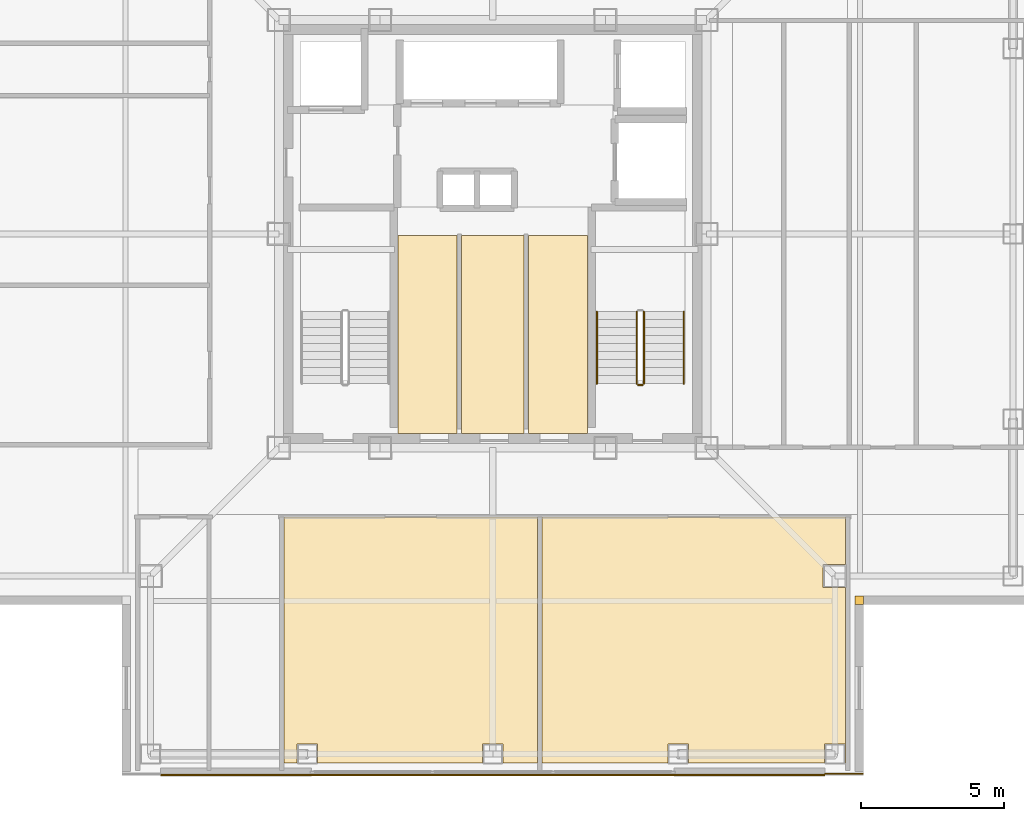
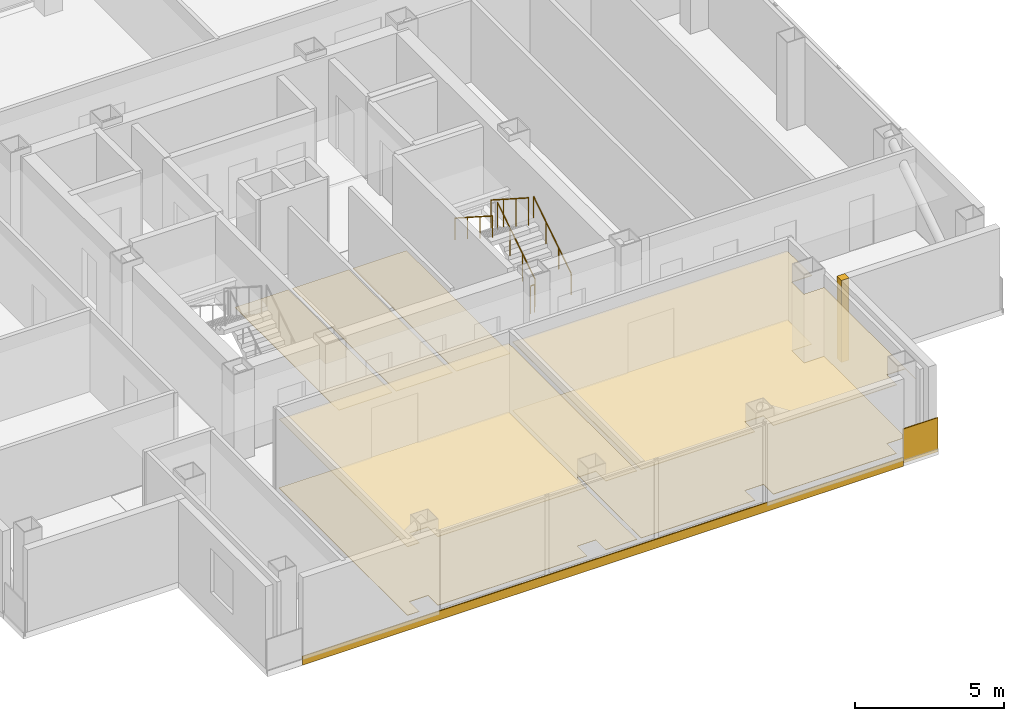
# One storey, part 12 of 16: 10 coverings, 5 railings.
"""IFC4 building model written with IfcOpenShell, lengths in metres."""

from ifc_helpers import new_model, si_unit, direction, frame, frame_2d, origin, origin_2d, place, context, subcontext, project, spatial, polyline, rectangle, circle, outline, extrude, material, layer, layer_set, type_object, element, save


model = new_model("IFC4")

# Units and contexts
model_context = context("Model", 3, precision=1e-05, world=origin(), true_north=direction((0.0, 1.0)))
body_context = subcontext(model_context, "Body", "Model", "MODEL_VIEW")
ifc_project = project(units=[si_unit("LENGTHUNIT", "METRE"), si_unit("AREAUNIT", "SQUARE_METRE"), si_unit("VOLUMEUNIT", "CUBIC_METRE"), si_unit("PLANEANGLEUNIT", "RADIAN"), si_unit("MASSUNIT", "GRAM", prefix="KILO")], contexts=[model_context])

# Site, building, storey
site_placement = place(None, origin())
site = spatial("IfcSite", under=ifc_project, at=site_placement, CompositionType="ELEMENT")
building_placement = place(site_placement, origin())
building = spatial("IfcBuilding", under=site, at=building_placement, Name="Trevonay Congress Spire", CompositionType="ELEMENT")
storey_placement = place(building_placement, frame((0.0, 0.0, 279.199951171875)))
storey = spatial("IfcBuildingStorey", under=building, at=storey_placement, Name="L73", CompositionType="ELEMENT", Elevation=279.199951171875)

# Coverings
ifc_material_1 = material(Name="Acoustic Mineral Fibre Board", Category="gypsum")
ifc_layer_1 = layer(ifc_material_1, 0.02490234375, Name="Acoustic Mineral Fibre Board")
ifc_layer_set_1 = layer_set([ifc_layer_1], Name="Acoustic Mineral Fibre Board")
covering_type_1 = type_object("IfcCoveringType", Name="COV-CEIL-ACOUSTIC", PredefinedType="CEILING", material=ifc_layer_set_1)
covering_1_placement = place(storey_placement, frame((0.0, 0.0, 2.81005859375)))
element("IfcCovering", 1, at=covering_1_placement, inside=storey, type_object=covering_type_1, Name="L73 Investment Committee Boardroom acoustic suspended ceiling", PredefinedType="CEILING", context=body_context, shape_type="SweptSolid", body=[
    extrude(outline(polyline([(-7.320068359375, -18.550048828125), (-7.320068359375, -9.929931640625), (1.570068359375, -9.929931640625), (1.570068359375, -18.550048828125), (0.360107421875, -18.550048828125), (0.360107421875, -17.889892578125), (-0.360107421875, -17.889892578125), (-0.360107421875, -18.550048828125), (-6.139892578125, -18.550048828125), (-6.139892578125, -17.889892578125), (-6.860107421875, -17.889892578125), (-6.860107421875, -18.550048828125), (-7.320068359375, -18.550048828125)])), origin(), (0.0, 0.0, 1.0), 0.02490234375),
])
covering_2_placement = place(storey_placement, frame((0.0, 0.0, 2.81005859375)))
element("IfcCovering", 2, at=covering_2_placement, inside=storey, type_object=covering_type_1, Name="L73 LP Advisory Boardroom acoustic suspended ceiling", PredefinedType="CEILING", context=body_context, shape_type="SweptSolid", body=[
    extrude(outline(polyline([(1.72998046875, -18.550048828125), (1.72998046875, -9.929931640625), (12.3701171875, -9.929931640625), (12.3701171875, -11.590087890625), (11.590087890625, -11.590087890625), (11.590087890625, -12.409912109375), (12.3701171875, -12.409912109375), (12.3701171875, -18.550048828125), (12.360107421875, -18.550048828125), (12.360107421875, -17.889892578125), (11.639892578125, -17.889892578125), (11.639892578125, -18.550048828125), (6.860107421875, -18.550048828125), (6.860107421875, -17.889892578125), (6.139892578125, -17.889892578125), (6.139892578125, -18.550048828125), (1.72998046875, -18.550048828125)])), origin(), (0.0, 0.0, 1.0), 0.02490234375),
])
ifc_material_2 = material(Name="Polished Granite Floor Tile", Category="masonry")
ifc_layer_2 = layer(ifc_material_2, 0.02001953125, Name="Polished Granite Floor Tile")
ifc_layer_set_2 = layer_set([ifc_layer_2], Name="Polished Granite Floor Tile")
covering_type_2 = type_object("IfcCoveringType", Name="COV-FLOOR-STONE", PredefinedType="FLOORING", material=ifc_layer_set_2)
covering_3_placement = place(storey_placement, origin())
element("IfcCovering", 3, at=covering_3_placement, inside=storey, type_object=covering_type_2, Name="L73 Core AHU Fan Plant Room floor finish", PredefinedType="FLOORING", context=body_context, shape_type="SweptSolid", body=[
    extrude(outline(polyline([(-3.320068359375, -7.0), (-1.25, -7.0), (-1.25, -0.050048828125), (-3.320068359375, -0.050048828125), (-3.320068359375, -7.0)])), origin(), (0.0, 0.0, 1.0), 0.02001953125),
])
covering_4_placement = place(storey_placement, origin())
element("IfcCovering", 4, at=covering_4_placement, inside=storey, type_object=covering_type_2, Name="L73 Core IT Comms Store floor finish", PredefinedType="FLOORING", context=body_context, shape_type="SweptSolid", body=[
    extrude(outline(polyline([(-1.090087890625, -7.0), (1.090087890625, -7.0), (1.090087890625, -0.050048828125), (-1.090087890625, -0.050048828125), (-1.090087890625, -7.0)])), origin(), (0.0, 0.0, 1.0), 0.02001953125),
])
covering_5_placement = place(storey_placement, origin())
element("IfcCovering", 5, at=covering_5_placement, inside=storey, type_object=covering_type_2, Name="L73 Housekeeping Linen Store floor finish", PredefinedType="FLOORING", context=body_context, shape_type="SweptSolid", body=[
    extrude(outline(polyline([(1.25, -7.0), (3.320068359375, -7.0), (3.320068359375, -0.050048828125), (1.25, -0.050048828125), (1.25, -7.0)])), origin(), (0.0, 0.0, 1.0), 0.02001953125),
])
ifc_material_3 = material(Name="Engineered Oak Flooring", Category="wood")
ifc_layer_3 = layer(ifc_material_3, 0.01806640625, Name="Engineered Oak Flooring")
ifc_layer_set_3 = layer_set([ifc_layer_3], Name="Engineered Oak Flooring")
covering_type_3 = type_object("IfcCoveringType", Name="COV-FLOOR-TIMBER", PredefinedType="FLOORING", material=ifc_layer_set_3)
covering_6_placement = place(storey_placement, origin())
element("IfcCovering", 6, at=covering_6_placement, inside=storey, type_object=covering_type_3, Name="L73 Investment Committee Boardroom floor finish", PredefinedType="FLOORING", context=body_context, shape_type="SweptSolid", body=[
    extrude(outline(polyline([(-7.320068359375, -18.550048828125), (-7.320068359375, -9.929931640625), (1.570068359375, -9.929931640625), (1.570068359375, -18.550048828125), (0.360107421875, -18.550048828125), (0.360107421875, -17.889892578125), (-0.360107421875, -17.889892578125), (-0.360107421875, -18.550048828125), (-6.139892578125, -18.550048828125), (-6.139892578125, -17.889892578125), (-6.860107421875, -17.889892578125), (-6.860107421875, -18.550048828125), (-7.320068359375, -18.550048828125)])), origin(), (0.0, 0.0, 1.0), 0.01806640625),
])
covering_7_placement = place(storey_placement, origin())
element("IfcCovering", 7, at=covering_7_placement, inside=storey, type_object=covering_type_3, Name="L73 LP Advisory Boardroom floor finish", PredefinedType="FLOORING", context=body_context, shape_type="SweptSolid", body=[
    extrude(outline(polyline([(1.72998046875, -18.550048828125), (1.72998046875, -9.929931640625), (12.3701171875, -9.929931640625), (12.3701171875, -11.590087890625), (11.590087890625, -11.590087890625), (11.590087890625, -12.409912109375), (12.3701171875, -12.409912109375), (12.3701171875, -18.550048828125), (12.360107421875, -18.550048828125), (12.360107421875, -17.889892578125), (11.639892578125, -17.889892578125), (11.639892578125, -18.550048828125), (6.860107421875, -18.550048828125), (6.860107421875, -17.889892578125), (6.139892578125, -17.889892578125), (6.139892578125, -18.550048828125), (1.72998046875, -18.550048828125)])), origin(), (0.0, 0.0, 1.0), 0.01806640625),
])
ifc_material_4 = material(Name="Pale Anodised Aluminium EN AW-6063-T6", Category="aluminium")
ifc_layer_4 = layer(ifc_material_4, 0.0400390625, Name="Pale Anodised Aluminium EN AW-6063-T6")
ifc_layer_set_4 = layer_set([ifc_layer_4], Name="Pale Anodised Aluminium EN AW-6063-T6")
covering_type_4 = type_object("IfcCoveringType", Name="COV-SPANDREL-PALE-METAL", PredefinedType="CLADDING", material=ifc_layer_set_4)
covering_8_placement = place(storey_placement, frame((-11.64990234375, -18.97998046875, -0.239990234375), z_axis=(0.0, 0.0, 1.0), x_axis=(1.0, 0.0, 0.0)))
element("IfcCovering", 8, at=covering_8_placement, inside=storey, type_object=covering_type_4, Name="L73 S pale-metal slab-edge spandrel cladding", PredefinedType="CLADDING", context=body_context, shape_type="SweptSolid", body=[
    extrude(rectangle(XDim=23.2998046875, YDim=0.0400390625, at=frame_2d((11.64990234375, 0.0))), origin(), (0.0, 0.0, 1.0), 0.360107421875),
])
covering_9_placement = place(storey_placement, origin())
element("IfcCovering", 9, at=covering_9_placement, inside=storey, type_object=covering_type_4, Name="L73 SE re-entrant notch corner closure trim", PredefinedType="CLADDING", context=body_context, shape_type="SweptSolid", body=[
    extrude(outline(polyline([(12.699951171875, -13.0), (13.0, -13.0), (13.0, -12.699951171875), (12.699951171875, -12.699951171875), (12.699951171875, -13.0)])), origin(), (0.0, 0.0, 1.0), 3.360107421875),
])
covering_10_placement = place(storey_placement, frame((11.64990234375, -18.93994140625, -0.14990234375), z_axis=(0.0, 0.0, 1.0), x_axis=(1.0, 0.0, 0.0)))
element("IfcCovering", 10, at=covering_10_placement, inside=storey, type_object=covering_type_4, Name="L73 SE corner pier spandrel cladding 2", PredefinedType="CLADDING", context=body_context, shape_type="SweptSolid", body=[
    extrude(rectangle(XDim=1.35009765625, YDim=0.0400390625, at=frame_2d((0.675048828125, 0.0))), origin(), (0.0, 0.0, 1.0), 1.39990234375),
])

# Railings
railing_type_1 = type_object("IfcRailingType", Name="RAL-STAIR-GUARD-110", PredefinedType="GUARDRAIL", material=ifc_material_4)
railing_1_placement = place(storey_placement, frame((5.300048828125, -5.25, 0.179931640625)))
element("IfcRailing", 11, at=railing_1_placement, inside=storey, type_object=railing_type_1, Name="L73 ST-2 stair guard 1", PredefinedType="GUARDRAIL", context=body_context, shape_type="SweptSolid", body=[
    extrude(circle(Radius=0.02392578125, at=origin_2d()), frame((0.0, 0.0, 1.1259765625), z_axis=(0.0, 0.841162588446, 0.540782303519), x_axis=(-1.0, 0.0, 0.0)), (0.0, 0.0, 1.0), 2.995849609375),
    extrude(circle(Radius=0.02099609375, at=origin_2d()), origin(), (0.0, 0.0, 1.0), 1.101806640625),
    extrude(circle(Radius=0.02099609375, at=origin_2d()), frame((0.0, 0.840087890625, 0.5400390625)), (0.0, 0.0, 1.0), 1.101806640625),
    extrude(circle(Radius=0.02099609375, at=origin_2d()), frame((0.0, 1.679931640625, 1.080078125)), (0.0, 0.0, 1.0), 1.101806640625),
    extrude(circle(Radius=0.02099609375, at=origin_2d()), frame((0.0, 2.52001953125, 1.6201171875)), (0.0, 0.0, 1.0), 1.101806640625),
])
railing_2_placement = place(storey_placement, frame((5.050048828125, -2.72998046875, 1.97998046875)))
element("IfcRailing", 12, at=railing_2_placement, inside=storey, type_object=railing_type_1, Name="L73 ST-2 stair guard 3", PredefinedType="GUARDRAIL", context=body_context, shape_type="SweptSolid", body=[
    extrude(circle(Radius=0.02392578125, at=origin_2d()), frame((0.0, 0.0, 1.1259765625), z_axis=(0.0, -0.841162588446, 0.540782303519), x_axis=(1.0, 0.0, 0.0)), (0.0, 0.0, 1.0), 2.995849609375),
    extrude(circle(Radius=0.02099609375, at=origin_2d()), origin(), (0.0, 0.0, 1.0), 1.101806640625),
    extrude(circle(Radius=0.02099609375, at=origin_2d()), frame((0.0, -0.840087890625, 0.5400390625)), (0.0, 0.0, 1.0), 1.101806640625),
    extrude(circle(Radius=0.02099609375, at=origin_2d()), frame((0.0, -1.679931640625, 1.080078125)), (0.0, 0.0, 1.0), 1.101806640625),
    extrude(circle(Radius=0.02099609375, at=origin_2d()), frame((0.0, -2.52001953125, 1.6201171875)), (0.0, 0.0, 1.0), 1.101806640625),
])
railing_3_placement = place(storey_placement, frame((5.25, -5.300048828125, 0.0)))
element("IfcRailing", 13, at=railing_3_placement, inside=storey, type_object=railing_type_1, Name="L73 ST-2 stair guard 4", PredefinedType="GUARDRAIL", context=body_context, shape_type="SweptSolid", body=[
    extrude(circle(Radius=0.02392578125, at=origin_2d()), frame((0.0, 0.0, 1.1259765625), z_axis=(-1.0, 0.0, 0.0), x_axis=(0.0, -1.0, 0.0)), (0.0, 0.0, 1.0), 0.14990234375),
    extrude(circle(Radius=0.02099609375, at=origin_2d()), origin(), (0.0, 0.0, 1.0), 1.101806640625),
    extrude(circle(Radius=0.02099609375, at=origin_2d()), frame((-0.14990234375, 0.0, 0.0)), (0.0, 0.0, 1.0), 1.101806640625),
])
railing_type_2 = type_object("IfcRailingType", Name="RAL-STAIR-HANDRAIL", PredefinedType="HANDRAIL", material=ifc_material_4)
railing_4_placement = place(storey_placement, frame((6.699951171875, -5.25, 0.179931640625)))
element("IfcRailing", 14, at=railing_4_placement, inside=storey, type_object=railing_type_2, Name="L73 ST-2 stair handrail 1", PredefinedType="HANDRAIL", context=body_context, shape_type="SweptSolid", body=[
    extrude(circle(Radius=0.02392578125, at=origin_2d()), frame((0.0, 0.0, 0.8759765625), z_axis=(0.0, 0.841162588446, 0.540782303519), x_axis=(-1.0, 0.0, 0.0)), (0.0, 0.0, 1.0), 2.995849609375),
    extrude(circle(Radius=0.02099609375, at=origin_2d()), origin(), (0.0, 0.0, 1.0), 0.851806640625),
    extrude(circle(Radius=0.02099609375, at=origin_2d()), frame((0.0, 0.840087890625, 0.5400390625)), (0.0, 0.0, 1.0), 0.851806640625),
    extrude(circle(Radius=0.02099609375, at=origin_2d()), frame((0.0, 1.679931640625, 1.080078125)), (0.0, 0.0, 1.0), 0.851806640625),
    extrude(circle(Radius=0.02099609375, at=origin_2d()), frame((0.0, 2.52001953125, 1.6201171875)), (0.0, 0.0, 1.0), 0.851806640625),
])
railing_5_placement = place(storey_placement, frame((3.64990234375, -2.72998046875, 1.97998046875)))
element("IfcRailing", 15, at=railing_5_placement, inside=storey, type_object=railing_type_2, Name="L73 ST-2 stair handrail 2", PredefinedType="HANDRAIL", context=body_context, shape_type="SweptSolid", body=[
    extrude(circle(Radius=0.02392578125, at=origin_2d()), frame((0.0, 0.0, 0.8759765625), z_axis=(0.0, -0.841162588446, 0.540782303519), x_axis=(1.0, 0.0, 0.0)), (0.0, 0.0, 1.0), 2.995849609375),
    extrude(circle(Radius=0.02099609375, at=origin_2d()), origin(), (0.0, 0.0, 1.0), 0.851806640625),
    extrude(circle(Radius=0.02099609375, at=origin_2d()), frame((0.0, -0.840087890625, 0.5400390625)), (0.0, 0.0, 1.0), 0.851806640625),
    extrude(circle(Radius=0.02099609375, at=origin_2d()), frame((0.0, -1.679931640625, 1.080078125)), (0.0, 0.0, 1.0), 0.851806640625),
    extrude(circle(Radius=0.02099609375, at=origin_2d()), frame((0.0, -2.52001953125, 1.6201171875)), (0.0, 0.0, 1.0), 0.851806640625),
])

save(model, "model.ifc")
